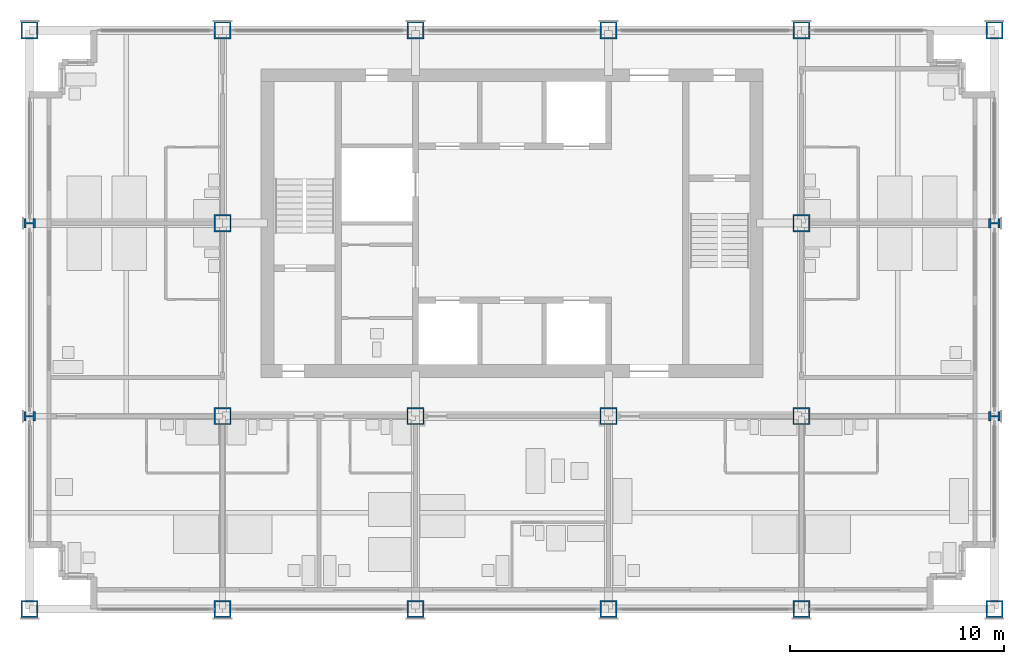
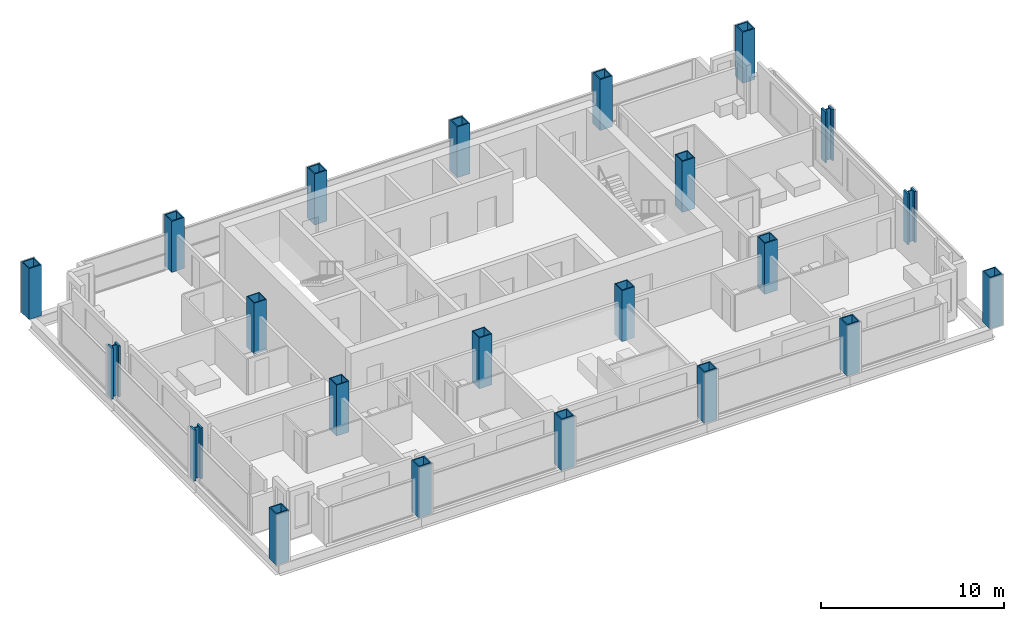
# One storey, part 1 of 13: 22 columns.
"""IFC4 building model written with IfcOpenShell, lengths in metres."""

from ifc_helpers import new_model, si_unit, direction, frame, origin, origin_2d, place, context, subcontext, project, spatial, hollow_rectangle, i_section, extrude, material, material_profile, profile_set, type_object, element, save


model = new_model("IFC4")

# Units and contexts
model_context = context("Model", 3, precision=1e-05, world=origin(), true_north=direction((0.0, 1.0)))
body_context = subcontext(model_context, "Body", "Model", "MODEL_VIEW")
ifc_project = project(units=[si_unit("LENGTHUNIT", "METRE"), si_unit("AREAUNIT", "SQUARE_METRE"), si_unit("VOLUMEUNIT", "CUBIC_METRE"), si_unit("PLANEANGLEUNIT", "RADIAN"), si_unit("MASSUNIT", "GRAM", prefix="KILO")], contexts=[model_context])

# Site, building, storey
site_placement = place(None, origin())
site = spatial("IfcSite", under=ifc_project, at=site_placement, CompositionType="ELEMENT")
building_placement = place(site_placement, origin())
building = spatial("IfcBuilding", under=site, at=building_placement, Name="Loomwork Tower", CompositionType="ELEMENT")
storey_placement = place(building_placement, frame((0.0, 0.0, 191.0)))
storey = spatial("IfcBuildingStorey", under=building, at=storey_placement, Name="L52", CompositionType="ELEMENT", Elevation=191.0)

# Columns
ifc_material_1 = material(Name="Steel ASTM A572 Grade 50 plate", Category="steel")
ifc_material_profile_1 = material_profile(ifc_material_1, hollow_rectangle(XDim=0.800048828125, YDim=0.800048828125, WallThickness=0.070068359375, at=origin_2d()), Name="BOX800x70")
ifc_profile_set_1 = profile_set([ifc_material_profile_1], Name="Steel ASTM A572 Grade 50 plate")
column_type_1 = type_object("IfcColumnType", Name="EXOSKELETON PIER BOX800x70", PredefinedType="COLUMN", material=ifc_profile_set_1)
for number, where, z_axis, x_axis, name in (
    (1, (0.0, 0.0, 0.0), (0.0, 0.0, 1.0), (1.0, 0.0, 0.0), "Exoskeleton Pier D/2 L52"),
    (2, (0.0, 27.0, 0.0), (0.0, 0.0, 1.0), (0.0, 1.0, 0.0), "Exoskeleton Pier G/2 L52"),
    (3, (9.0, 0.0, 0.0), (0.0, 0.0, 1.0), (1.0, 0.0, 0.0), "Exoskeleton Pier D/3 L52"),
    (4, (9.0, 27.0, 0.0), (0.0, 0.0, 1.0), (1.0, 0.0, 0.0), "Exoskeleton Pier G/3 L52"),
    (5, (18.0, 0.0, 0.0), (0.0, 0.0, 1.0), (1.0, 0.0, 0.0), "Exoskeleton Pier D/4 L52"),
    (6, (18.0, 27.0, 0.0), (0.0, 0.0, 1.0), (1.0, 0.0, 0.0), "Exoskeleton Pier G/4 L52"),
    (7, (27.0, 0.0, 0.0), (0.0, 0.0, 1.0), (1.0, 0.0, 0.0), "Exoskeleton Pier D/5 L52"),
    (8, (27.0, 27.0, 0.0), (0.0, 0.0, 1.0), (1.0, 0.0, 0.0), "Exoskeleton Pier G/5 L52"),
    (9, (36.0, 0.0, 0.0), (0.0, 0.0, 1.0), (1.0, 0.0, 0.0), "Exoskeleton Pier D/6 L52"),
    (10, (36.0, 27.0, 0.0), (0.0, 0.0, 1.0), (1.0, 0.0, 0.0), "Exoskeleton Pier G/6 L52"),
    (11, (45.0, 0.0, 0.0), (0.0, 0.0, 1.0), (1.0, 0.0, 0.0), "Exoskeleton Pier D/7 L52"),
    (12, (45.0, 27.0, 0.0), (0.0, 0.0, 1.0), (0.0, 1.0, 0.0), "Exoskeleton Pier G/7 L52"),
):
    element("IfcColumn", number, at=place(storey_placement, frame(where, z_axis=z_axis, x_axis=x_axis)), inside=storey, type_object=column_type_1, Name=name, PredefinedType="COLUMN", context=body_context, shape_type="SweptSolid", body=[
        extrude(hollow_rectangle(XDim=0.800048828125, YDim=0.800048828125, WallThickness=0.070068359375, at=origin_2d()), origin(), (0.0, 0.0, 1.0), 3.39990234375),
    ])
ifc_material_2 = material(Name="Steel ASTM A992", Category="steel")
ifc_material_profile_2 = material_profile(ifc_material_2, i_section(OverallWidth=0.449462890625, OverallDepth=0.548583984375, WebThickness=0.07177734375, FlangeThickness=0.11474609375, at=origin_2d()), Name="W14x665")
ifc_profile_set_2 = profile_set([ifc_material_profile_2], Name="Steel ASTM A992")
column_type_2 = type_object("IfcColumnType", Name="EXOSKELETON PIER W14x665", PredefinedType="COLUMN", material=ifc_profile_set_2)
for number, where, z_axis, x_axis, name in (
    (13, (0.0, 9.0, 0.0), (0.0, 0.0, 1.0), (0.0, 1.0, 0.0), "Exoskeleton Pier E/2 L52"),
    (14, (0.0, 18.0, 0.0), (0.0, 0.0, 1.0), (0.0, 1.0, 0.0), "Exoskeleton Pier F/2 L52"),
    (15, (45.0, 9.0, 0.0), (0.0, 0.0, 1.0), (0.0, 1.0, 0.0), "Exoskeleton Pier E/7 L52"),
    (16, (45.0, 18.0, 0.0), (0.0, 0.0, 1.0), (0.0, 1.0, 0.0), "Exoskeleton Pier F/7 L52"),
):
    element("IfcColumn", number, at=place(storey_placement, frame(where, z_axis=z_axis, x_axis=x_axis)), inside=storey, type_object=column_type_2, Name=name, PredefinedType="COLUMN", context=body_context, shape_type="SweptSolid", body=[
        extrude(i_section(OverallWidth=0.449462890625, OverallDepth=0.548583984375, WebThickness=0.07177734375, FlangeThickness=0.11474609375, at=origin_2d()), origin(), (0.0, 0.0, 1.0), 3.39990234375),
    ])
ifc_material_3 = material(Name="Steel ASTM A572 Grade 50 plate", Category="steel")
ifc_material_profile_3 = material_profile(ifc_material_3, hollow_rectangle(XDim=0.800048828125, YDim=0.800048828125, WallThickness=0.06005859375, at=origin_2d()), Name="BOX800x60")
ifc_profile_set_3 = profile_set([ifc_material_profile_3], Name="Steel ASTM A572 Grade 50 plate")
column_type_3 = type_object("IfcColumnType", Name="TOWER COLUMN BOX800x60", PredefinedType="COLUMN", material=ifc_profile_set_3)
for number, where, z_axis, x_axis, name in (
    (17, (9.0, 9.0, 0.0), (0.0, 0.0, 1.0), (1.0, 0.0, 0.0), "Tower Column E/3 L52"),
    (18, (9.0, 18.0, 0.0), (0.0, 0.0, 1.0), (1.0, 0.0, 0.0), "Tower Column F/3 L52"),
    (19, (18.0, 9.0, 0.0), (0.0, 0.0, 1.0), (1.0, 0.0, 0.0), "Tower Column E/4 L52"),
    (20, (27.0, 9.0, 0.0), (0.0, 0.0, 1.0), (1.0, 0.0, 0.0), "Tower Column E/5 L52"),
    (21, (36.0, 9.0, 0.0), (0.0, 0.0, 1.0), (0.0, 1.0, 0.0), "Tower Column E/6 L52"),
    (22, (36.0, 18.0, 0.0), (0.0, 0.0, 1.0), (0.0, 1.0, 0.0), "Tower Column F/6 L52"),
):
    element("IfcColumn", number, at=place(storey_placement, frame(where, z_axis=z_axis, x_axis=x_axis)), inside=storey, type_object=column_type_3, Name=name, PredefinedType="COLUMN", context=body_context, shape_type="SweptSolid", body=[
        extrude(hollow_rectangle(XDim=0.800048828125, YDim=0.800048828125, WallThickness=0.06005859375, at=origin_2d()), origin(), (0.0, 0.0, 1.0), 3.39990234375),
    ])

save(model, "model.ifc")
